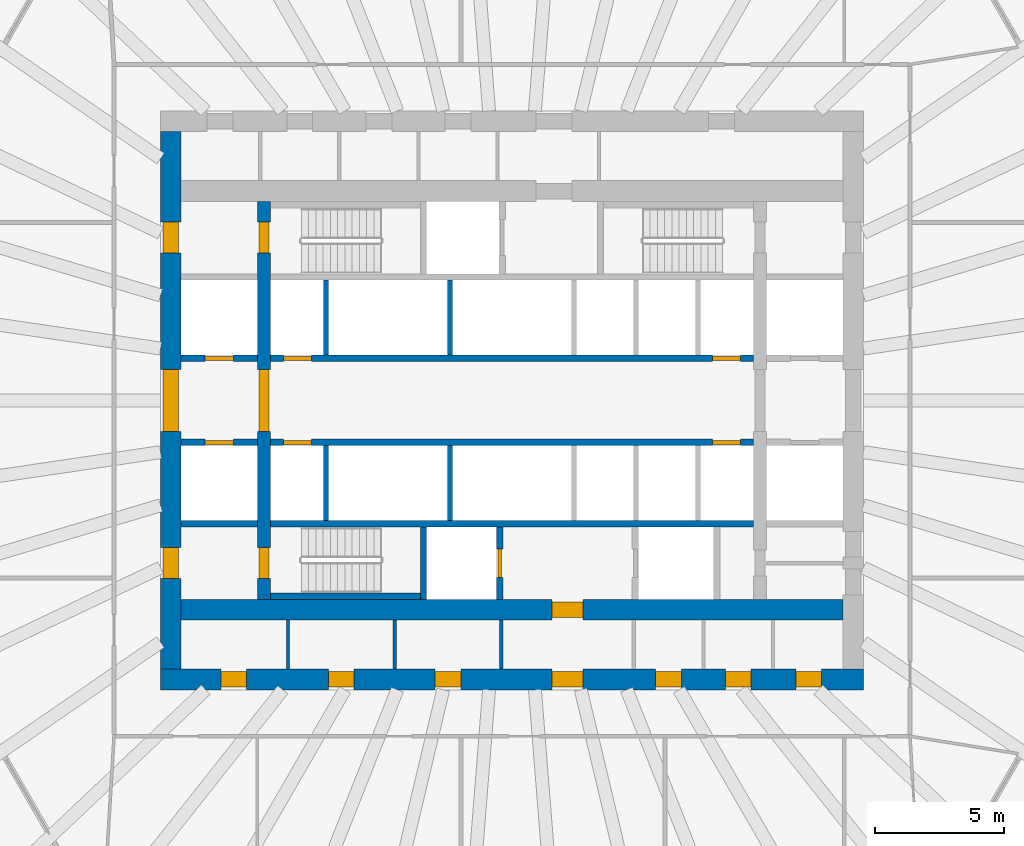
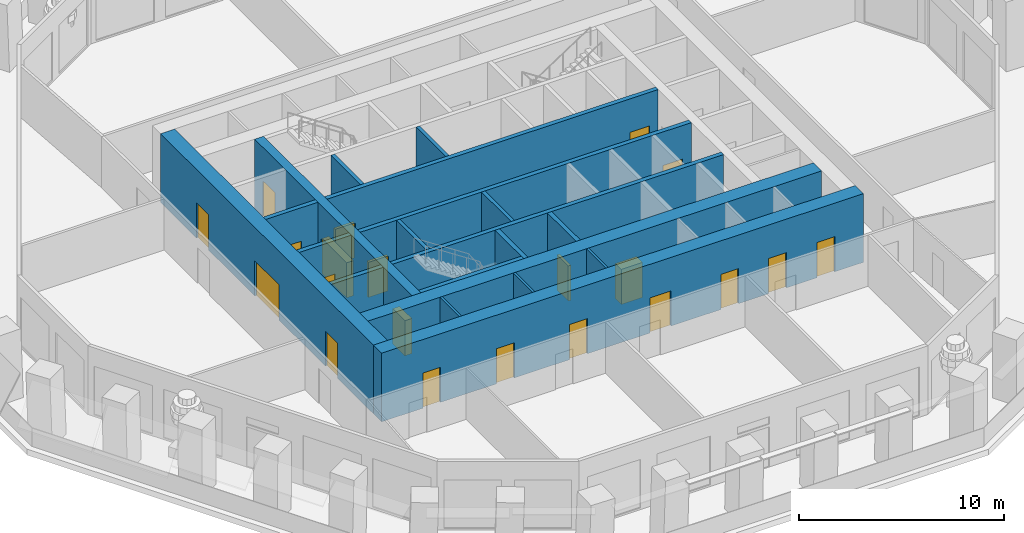
# One storey, part 4 of 12: 21 doors, 20 walls, 21 openings.
"""IFC4 building model written with IfcOpenShell, lengths in metres."""

from ifc_helpers import new_model, si_unit, direction, frame, frame_2d, origin, place, context, subcontext, project, spatial, rectangle, extrude, material, layer, layer_set, type_object, element, fill, save


model = new_model("IFC4")

# Units and contexts
model_context = context("Model", 3, precision=1e-05, world=origin(), true_north=direction((0.0, 1.0)))
body_context = subcontext(model_context, "Body", "Model", "MODEL_VIEW")
ifc_project = project(units=[si_unit("LENGTHUNIT", "METRE"), si_unit("AREAUNIT", "SQUARE_METRE"), si_unit("VOLUMEUNIT", "CUBIC_METRE"), si_unit("PLANEANGLEUNIT", "RADIAN"), si_unit("MASSUNIT", "GRAM", prefix="KILO")], contexts=[model_context])

# Site, building, storey
site_placement = place(None, origin())
site = spatial("IfcSite", under=ifc_project, at=site_placement, CompositionType="ELEMENT")
building_placement = place(site_placement, origin())
building = spatial("IfcBuilding", under=site, at=building_placement, Name="Frailejon Research Tower", CompositionType="ELEMENT")
storey_placement = place(building_placement, frame((0.0, 0.0, 80.800048828125)))
storey = spatial("IfcBuildingStorey", under=building, at=storey_placement, Name="L17", CompositionType="ELEMENT", Elevation=80.800048828125)

# Walls
ifc_material_1 = material(Name="Plasterboard on steel studs", Category="steel")
ifc_layer_1 = layer(ifc_material_1, 0.125)
ifc_layer_set_1 = layer_set([ifc_layer_1], Name="Core partition 125")
wall_type_1 = type_object("IfcWallType", Name="Core partition 125", PredefinedType="PARTITIONING", material=ifc_layer_set_1)
for number, where, z_axis, x_axis, name in (
    (1, (-8.6708984375, -10.39990234375, 0.0), (0.0, 0.0, 1.0), (0.0, 1.0, 0.0), "Core partition"),
    (2, (-4.541748046875, -10.39990234375, 0.0), (0.0, 0.0, 1.0), (0.0, 1.0, 0.0), "Core partition"),
    (3, (-0.41259765625, -10.39990234375, 0.0), (0.0, 0.0, 1.0), (0.0, 1.0, 0.0), "Core partition"),
):
    element("IfcWall", number, at=place(storey_placement, frame(where, z_axis=z_axis, x_axis=x_axis)), inside=storey, type_object=wall_type_1, Name=name, PredefinedType="PARTITIONING", context=body_context, shape_type="SweptSolid", body=[
        extrude(rectangle(XDim=1.89990234375, YDim=0.125, at=frame_2d((0.949951171875, 0.0))), origin(), (0.0, 0.0, 1.0), 4.099853515625),
    ])

# Wall, openings, doors
ifc_material_2 = material(Name="Concrete C70/85", Category="concrete")
ifc_layer_2 = layer(ifc_material_2, 0.5)
ifc_layer_set_2 = layer_set([ifc_layer_2], Name="Core shear wall 500 C70/85")
wall_type_2 = type_object("IfcWallType", Name="Core shear wall 500 C70/85", PredefinedType="SHEAR", material=ifc_layer_set_2)
wall_1_placement = place(storey_placement, frame((-9.60009765625, -7.699951171875, 0.0), z_axis=(0.0, 0.0, 1.0), x_axis=(0.0, 1.0, 0.0)))
wall_1 = element("IfcWall", 4, at=wall_1_placement, inside=storey, type_object=wall_type_2, Name="Core shear wall", PredefinedType="SHEAR", context=body_context, shape_type="SweptSolid", body=[
    extrude(rectangle(XDim=15.39990234375, YDim=0.5, at=frame_2d((7.699951171875, 0.0))), origin(), (0.0, 0.0, 1.0), 4.099853515625),
])
opening_1_placement = place(wall_1_placement, frame((6.5, 0.0, 0.0)))
opening_1 = element("IfcOpeningElement", 5, at=opening_1_placement, cuts=wall_1, Name="Opening D2", PredefinedType="OPENING", context=body_context, shape_type="SweptSolid", body=[
    extrude(rectangle(XDim=2.39990234375, YDim=2.10009765625, at=frame_2d((1.199951171875, 1.050048828125))), frame((0.0, 0.260009765625, 0.0), z_axis=(0.0, -1.0, 0.0), x_axis=(1.0, 0.0, 0.0)), (0.0, 0.0, 1.0), 0.52001953125),
])
opening_2_placement = place(wall_1_placement, frame((13.39990234375, 0.0, 0.0)))
opening_2 = element("IfcOpeningElement", 6, at=opening_2_placement, cuts=wall_1, Name="Opening D1", PredefinedType="OPENING", context=body_context, shape_type="SweptSolid", body=[
    extrude(rectangle(XDim=1.199951171875, YDim=2.10009765625, at=frame_2d((0.60009765625, 1.050048828125))), frame((0.0, 0.260009765625, 0.0), z_axis=(0.0, -1.0, 0.0), x_axis=(1.0, 0.0, 0.0)), (0.0, 0.0, 1.0), 0.52001953125),
])
opening_3_placement = place(wall_1_placement, frame((0.800048828125, 0.0, 0.0)))
opening_3 = element("IfcOpeningElement", 7, at=opening_3_placement, cuts=wall_1, Name="Opening D1", PredefinedType="OPENING", context=body_context, shape_type="SweptSolid", body=[
    extrude(rectangle(XDim=1.199951171875, YDim=2.10009765625, at=frame_2d((0.60009765625, 1.050048828125))), frame((0.0, 0.260009765625, 0.0), z_axis=(0.0, -1.0, 0.0), x_axis=(1.0, 0.0, 0.0)), (0.0, 0.0, 1.0), 0.52001953125),
])
ifc_material_3 = material(Name="Steel", Category="steel")
door_type_1 = type_object("IfcDoorType", Name="Lobby double door", OperationType="DOUBLE_DOOR_SINGLE_SWING", PredefinedType="DOOR", material=ifc_material_3)
door_1_placement = place(opening_1_placement, origin())
door_1 = element("IfcDoor", 8, at=door_1_placement, inside=storey, type_object=door_type_1, Name="Lobby door", OperationType="DOUBLE_DOOR_SINGLE_SWING", OverallHeight=2.10009765625, OverallWidth=2.39990234375, PredefinedType="DOOR", context=body_context, shape_type="SweptSolid", body=[
    extrude(rectangle(XDim=2.39990234375, YDim=2.10009765625, at=frame_2d((1.199951171875, 1.050048828125))), frame((0.0, 0.199951171875, 0.0), z_axis=(0.0, -1.0, 0.0), x_axis=(1.0, 0.0, 0.0)), (0.0, 0.0, 1.0), 0.39990234375),
])
fill(opening_1, door_1)
ifc_material_4 = material(Name="Steel", Category="steel")
door_type_2 = type_object("IfcDoorType", Name="Stair door", OperationType="SINGLE_SWING_LEFT", PredefinedType="DOOR", material=ifc_material_4)
door_2_placement = place(opening_2_placement, origin())
door_2 = element("IfcDoor", 9, at=door_2_placement, inside=storey, type_object=door_type_2, Name="Stair door ST1", OperationType="SINGLE_SWING_LEFT", OverallHeight=2.10009765625, OverallWidth=1.199951171875, PredefinedType="DOOR", context=body_context, shape_type="SweptSolid", body=[
    extrude(rectangle(XDim=1.199951171875, YDim=2.10009765625, at=frame_2d((0.60009765625, 1.050048828125))), frame((0.0, 0.199951171875, 0.0), z_axis=(0.0, -1.0, 0.0), x_axis=(1.0, 0.0, 0.0)), (0.0, 0.0, 1.0), 0.39990234375),
])
fill(opening_2, door_2)
door_3_placement = place(opening_3_placement, origin())
door_3 = element("IfcDoor", 10, at=door_3_placement, inside=storey, type_object=door_type_2, Name="Stair door ST2", OperationType="SINGLE_SWING_LEFT", OverallHeight=2.10009765625, OverallWidth=1.199951171875, PredefinedType="DOOR", context=body_context, shape_type="SweptSolid", body=[
    extrude(rectangle(XDim=1.199951171875, YDim=2.10009765625, at=frame_2d((0.60009765625, 1.050048828125))), frame((0.0, 0.199951171875, 0.0), z_axis=(0.0, -1.0, 0.0), x_axis=(1.0, 0.0, 0.0)), (0.0, 0.0, 1.0), 0.39990234375),
])
fill(opening_3, door_3)

ifc_material_5 = material(Name="Concrete C70/85", Category="concrete")
ifc_layer_3 = layer(ifc_material_5, 0.800048828125)
ifc_layer_set_3 = layer_set([ifc_layer_3], Name="Core shear wall 800 C70/85")
wall_type_3 = type_object("IfcWallType", Name="Core shear wall 800 C70/85", PredefinedType="SHEAR", material=ifc_layer_set_3)
wall_2_placement = place(storey_placement, frame((-13.60009765625, -10.800048828125, 0.0), z_axis=(0.0, 0.0, 1.0), x_axis=(1.0, 0.0, 0.0)))
wall_2 = element("IfcWall", 11, at=wall_2_placement, inside=storey, type_object=wall_type_3, Name="Core shear wall", PredefinedType="SHEAR", context=body_context, shape_type="SweptSolid", body=[
    extrude(rectangle(XDim=27.2001953125, YDim=0.800048828125, at=frame_2d((13.60009765625, 0.0))), origin(), (0.0, 0.0, 1.0), 4.099853515625),
])
opening_4_placement = place(wall_2_placement, frame((2.333251953125, 0.0, 0.0)))
opening_4 = element("IfcOpeningElement", 12, at=opening_4_placement, cuts=wall_2, Name="Opening D4", PredefinedType="OPENING", context=body_context, shape_type="SweptSolid", body=[
    extrude(rectangle(XDim=1.0, YDim=2.10009765625, at=frame_2d((0.5, 1.050048828125))), frame((0.0, 0.409912109375, 0.0), z_axis=(0.0, -1.0, 0.0), x_axis=(1.0, 0.0, 0.0)), (0.0, 0.0, 1.0), 0.820068359375),
])
opening_5_placement = place(wall_2_placement, frame((6.493896484375, 0.0, 0.0)))
opening_5 = element("IfcOpeningElement", 13, at=opening_5_placement, cuts=wall_2, Name="Opening D4", PredefinedType="OPENING", context=body_context, shape_type="SweptSolid", body=[
    extrude(rectangle(XDim=1.0, YDim=2.10009765625, at=frame_2d((0.5, 1.050048828125))), frame((0.0, 0.409912109375, 0.0), z_axis=(0.0, -1.0, 0.0), x_axis=(1.0, 0.0, 0.0)), (0.0, 0.0, 1.0), 0.820068359375),
])
opening_6_placement = place(wall_2_placement, frame((10.622802734375, 0.0, 0.0)))
opening_6 = element("IfcOpeningElement", 14, at=opening_6_placement, cuts=wall_2, Name="Opening D4", PredefinedType="OPENING", context=body_context, shape_type="SweptSolid", body=[
    extrude(rectangle(XDim=1.0, YDim=2.10009765625, at=frame_2d((0.5, 1.050048828125))), frame((0.0, 0.409912109375, 0.0), z_axis=(0.0, -1.0, 0.0), x_axis=(1.0, 0.0, 0.0)), (0.0, 0.0, 1.0), 0.820068359375),
])
opening_7_placement = place(wall_2_placement, frame((19.160400390625, 0.0, 0.0)))
opening_7 = element("IfcOpeningElement", 15, at=opening_7_placement, cuts=wall_2, Name="Opening D4", PredefinedType="OPENING", context=body_context, shape_type="SweptSolid", body=[
    extrude(rectangle(XDim=1.0, YDim=2.10009765625, at=frame_2d((0.5, 1.050048828125))), frame((0.0, 0.409912109375, 0.0), z_axis=(0.0, -1.0, 0.0), x_axis=(1.0, 0.0, 0.0)), (0.0, 0.0, 1.0), 0.820068359375),
])
opening_8_placement = place(wall_2_placement, frame((21.856201171875, 0.0, 0.0)))
opening_8 = element("IfcOpeningElement", 16, at=opening_8_placement, cuts=wall_2, Name="Opening D4", PredefinedType="OPENING", context=body_context, shape_type="SweptSolid", body=[
    extrude(rectangle(XDim=1.0, YDim=2.10009765625, at=frame_2d((0.5, 1.050048828125))), frame((0.0, 0.409912109375, 0.0), z_axis=(0.0, -1.0, 0.0), x_axis=(1.0, 0.0, 0.0)), (0.0, 0.0, 1.0), 0.820068359375),
])
opening_9_placement = place(wall_2_placement, frame((24.583251953125, 0.0, 0.0)))
opening_9 = element("IfcOpeningElement", 17, at=opening_9_placement, cuts=wall_2, Name="Opening D4", PredefinedType="OPENING", context=body_context, shape_type="SweptSolid", body=[
    extrude(rectangle(XDim=1.0, YDim=2.10009765625, at=frame_2d((0.5, 1.050048828125))), frame((0.0, 0.409912109375, 0.0), z_axis=(0.0, -1.0, 0.0), x_axis=(1.0, 0.0, 0.0)), (0.0, 0.0, 1.0), 0.820068359375),
])
opening_10_placement = place(wall_2_placement, frame((15.14990234375, 0.0, 0.0)))
opening_10 = element("IfcOpeningElement", 18, at=opening_10_placement, cuts=wall_2, Name="Opening D3", PredefinedType="OPENING", context=body_context, shape_type="SweptSolid", body=[
    extrude(rectangle(XDim=1.199951171875, YDim=2.10009765625, at=frame_2d((0.60009765625, 1.050048828125))), frame((0.0, 0.409912109375, 0.0), z_axis=(0.0, -1.0, 0.0), x_axis=(1.0, 0.0, 0.0)), (0.0, 0.0, 1.0), 0.820068359375),
])
ifc_material_6 = material(Name="Steel", Category="steel")
door_type_3 = type_object("IfcDoorType", Name="Firefighting lobby door", OperationType="SINGLE_SWING_LEFT", PredefinedType="DOOR", material=ifc_material_6)
door_4_placement = place(opening_10_placement, origin())
door_4 = element("IfcDoor", 19, at=door_4_placement, inside=storey, type_object=door_type_3, Name="Passage door", OperationType="SINGLE_SWING_RIGHT", OverallHeight=2.10009765625, OverallWidth=1.199951171875, PredefinedType="DOOR", context=body_context, shape_type="SweptSolid", body=[
    extrude(rectangle(XDim=1.199951171875, YDim=2.10009765625, at=frame_2d((0.60009765625, 1.050048828125))), frame((0.0, 0.300048828125, 0.0), z_axis=(0.0, -1.0, 0.0), x_axis=(1.0, 0.0, 0.0)), (0.0, 0.0, 1.0), 0.60009765625),
])
fill(opening_10, door_4)
ifc_material_7 = material(Name="Steel", Category="steel")
door_type_4 = type_object("IfcDoorType", Name="Service door", OperationType="SINGLE_SWING_LEFT", PredefinedType="DOOR", material=ifc_material_7)
door_5_placement = place(opening_4_placement, origin())
door_5 = element("IfcDoor", 20, at=door_5_placement, inside=storey, type_object=door_type_4, Name="Room door", OperationType="SINGLE_SWING_RIGHT", OverallHeight=2.10009765625, OverallWidth=1.0, PredefinedType="DOOR", context=body_context, shape_type="SweptSolid", body=[
    extrude(rectangle(XDim=1.0, YDim=2.10009765625, at=frame_2d((0.5, 1.050048828125))), frame((0.0, 0.300048828125, 0.0), z_axis=(0.0, -1.0, 0.0), x_axis=(1.0, 0.0, 0.0)), (0.0, 0.0, 1.0), 0.60009765625),
])
fill(opening_4, door_5)
door_6_placement = place(opening_5_placement, origin())
door_6 = element("IfcDoor", 21, at=door_6_placement, inside=storey, type_object=door_type_4, Name="Room door", OperationType="SINGLE_SWING_LEFT", OverallHeight=2.10009765625, OverallWidth=1.0, PredefinedType="DOOR", context=body_context, shape_type="SweptSolid", body=[
    extrude(rectangle(XDim=1.0, YDim=2.10009765625, at=frame_2d((0.5, 1.050048828125))), frame((0.0, 0.300048828125, 0.0), z_axis=(0.0, -1.0, 0.0), x_axis=(1.0, 0.0, 0.0)), (0.0, 0.0, 1.0), 0.60009765625),
])
fill(opening_5, door_6)
door_7_placement = place(opening_6_placement, origin())
door_7 = element("IfcDoor", 22, at=door_7_placement, inside=storey, type_object=door_type_4, Name="Room door", OperationType="SINGLE_SWING_RIGHT", OverallHeight=2.10009765625, OverallWidth=1.0, PredefinedType="DOOR", context=body_context, shape_type="SweptSolid", body=[
    extrude(rectangle(XDim=1.0, YDim=2.10009765625, at=frame_2d((0.5, 1.050048828125))), frame((0.0, 0.300048828125, 0.0), z_axis=(0.0, -1.0, 0.0), x_axis=(1.0, 0.0, 0.0)), (0.0, 0.0, 1.0), 0.60009765625),
])
fill(opening_6, door_7)
door_8_placement = place(opening_7_placement, origin())
door_8 = element("IfcDoor", 23, at=door_8_placement, inside=storey, type_object=door_type_4, Name="Room door", OperationType="SINGLE_SWING_LEFT", OverallHeight=2.10009765625, OverallWidth=1.0, PredefinedType="DOOR", context=body_context, shape_type="SweptSolid", body=[
    extrude(rectangle(XDim=1.0, YDim=2.10009765625, at=frame_2d((0.5, 1.050048828125))), frame((0.0, 0.300048828125, 0.0), z_axis=(0.0, -1.0, 0.0), x_axis=(1.0, 0.0, 0.0)), (0.0, 0.0, 1.0), 0.60009765625),
])
fill(opening_7, door_8)
door_9_placement = place(opening_8_placement, origin())
door_9 = element("IfcDoor", 24, at=door_9_placement, inside=storey, type_object=door_type_4, Name="Room door", OperationType="SINGLE_SWING_RIGHT", OverallHeight=2.10009765625, OverallWidth=1.0, PredefinedType="DOOR", context=body_context, shape_type="SweptSolid", body=[
    extrude(rectangle(XDim=1.0, YDim=2.10009765625, at=frame_2d((0.5, 1.050048828125))), frame((0.0, 0.300048828125, 0.0), z_axis=(0.0, -1.0, 0.0), x_axis=(1.0, 0.0, 0.0)), (0.0, 0.0, 1.0), 0.60009765625),
])
fill(opening_8, door_9)
door_10_placement = place(opening_9_placement, origin())
door_10 = element("IfcDoor", 25, at=door_10_placement, inside=storey, type_object=door_type_4, Name="Room door", OperationType="SINGLE_SWING_LEFT", OverallHeight=2.10009765625, OverallWidth=1.0, PredefinedType="DOOR", context=body_context, shape_type="SweptSolid", body=[
    extrude(rectangle(XDim=1.0, YDim=2.10009765625, at=frame_2d((0.5, 1.050048828125))), frame((0.0, 0.300048828125, 0.0), z_axis=(0.0, -1.0, 0.0), x_axis=(1.0, 0.0, 0.0)), (0.0, 0.0, 1.0), 0.60009765625),
])
fill(opening_9, door_10)

wall_3_placement = place(storey_placement, frame((-13.199951171875, -10.39990234375, 0.0), z_axis=(0.0, 0.0, 1.0), x_axis=(0.0, 1.0, 0.0)))
wall_3 = element("IfcWall", 26, at=wall_3_placement, inside=storey, type_object=wall_type_3, Name="Core shear wall", PredefinedType="SHEAR", context=body_context, shape_type="SweptSolid", body=[
    extrude(rectangle(XDim=20.7998046875, YDim=0.800048828125, at=frame_2d((10.39990234375, 0.0))), origin(), (0.0, 0.0, 1.0), 4.099853515625),
])
opening_11_placement = place(wall_3_placement, frame((9.199951171875, 0.0, 0.0)))
opening_11 = element("IfcOpeningElement", 27, at=opening_11_placement, cuts=wall_3, Name="Opening D2", PredefinedType="OPENING", context=body_context, shape_type="SweptSolid", body=[
    extrude(rectangle(XDim=2.39990234375, YDim=2.10009765625, at=frame_2d((1.199951171875, 1.050048828125))), frame((0.0, 0.409912109375, 0.0), z_axis=(0.0, -1.0, 0.0), x_axis=(1.0, 0.0, 0.0)), (0.0, 0.0, 1.0), 0.820068359375),
])
opening_12_placement = place(wall_3_placement, frame((16.10009765625, 0.0, 0.0)))
opening_12 = element("IfcOpeningElement", 28, at=opening_12_placement, cuts=wall_3, Name="Opening D7", PredefinedType="OPENING", context=body_context, shape_type="SweptSolid", body=[
    extrude(rectangle(XDim=1.199951171875, YDim=2.10009765625, at=frame_2d((0.60009765625, 1.050048828125))), frame((0.0, 0.409912109375, 0.0), z_axis=(0.0, -1.0, 0.0), x_axis=(1.0, 0.0, 0.0)), (0.0, 0.0, 1.0), 0.820068359375),
])
opening_13_placement = place(wall_3_placement, frame((3.5, 0.0, 0.0)))
opening_13 = element("IfcOpeningElement", 29, at=opening_13_placement, cuts=wall_3, Name="Opening D7", PredefinedType="OPENING", context=body_context, shape_type="SweptSolid", body=[
    extrude(rectangle(XDim=1.199951171875, YDim=2.10009765625, at=frame_2d((0.60009765625, 1.050048828125))), frame((0.0, 0.409912109375, 0.0), z_axis=(0.0, -1.0, 0.0), x_axis=(1.0, 0.0, 0.0)), (0.0, 0.0, 1.0), 0.820068359375),
])
door_11_placement = place(opening_11_placement, origin())
door_11 = element("IfcDoor", 30, at=door_11_placement, inside=storey, type_object=door_type_1, Name="Lobby door", OperationType="DOUBLE_DOOR_SINGLE_SWING", OverallHeight=2.10009765625, OverallWidth=2.39990234375, PredefinedType="DOOR", context=body_context, shape_type="SweptSolid", body=[
    extrude(rectangle(XDim=2.39990234375, YDim=2.10009765625, at=frame_2d((1.199951171875, 1.050048828125))), frame((0.0, 0.300048828125, 0.0), z_axis=(0.0, -1.0, 0.0), x_axis=(1.0, 0.0, 0.0)), (0.0, 0.0, 1.0), 0.60009765625),
])
fill(opening_11, door_11)
ifc_material_8 = material(Name="Steel", Category="steel")
door_type_5 = type_object("IfcDoorType", Name="Stair exit door", OperationType="SINGLE_SWING_LEFT", PredefinedType="DOOR", material=ifc_material_8)
door_12_placement = place(opening_12_placement, origin())
door_12 = element("IfcDoor", 31, at=door_12_placement, inside=storey, type_object=door_type_5, Name="Stair exit door ST1", OperationType="SINGLE_SWING_RIGHT", OverallHeight=2.10009765625, OverallWidth=1.199951171875, PredefinedType="DOOR", context=body_context, shape_type="SweptSolid", body=[
    extrude(rectangle(XDim=1.199951171875, YDim=2.10009765625, at=frame_2d((0.60009765625, 1.050048828125))), frame((0.0, 0.300048828125, 0.0), z_axis=(0.0, -1.0, 0.0), x_axis=(1.0, 0.0, 0.0)), (0.0, 0.0, 1.0), 0.60009765625),
])
fill(opening_12, door_12)
door_13_placement = place(opening_13_placement, origin())
door_13 = element("IfcDoor", 32, at=door_13_placement, inside=storey, type_object=door_type_5, Name="Stair exit door ST2", OperationType="SINGLE_SWING_RIGHT", OverallHeight=2.10009765625, OverallWidth=1.199951171875, PredefinedType="DOOR", context=body_context, shape_type="SweptSolid", body=[
    extrude(rectangle(XDim=1.199951171875, YDim=2.10009765625, at=frame_2d((0.60009765625, 1.050048828125))), frame((0.0, 0.300048828125, 0.0), z_axis=(0.0, -1.0, 0.0), x_axis=(1.0, 0.0, 0.0)), (0.0, 0.0, 1.0), 0.60009765625),
])
fill(opening_13, door_13)

# Wall, opening, door
wall_4_placement = place(storey_placement, frame((-12.800048828125, -8.10009765625, 0.0), z_axis=(0.0, 0.0, 1.0), x_axis=(1.0, 0.0, 0.0)))
wall_4 = element("IfcWall", 33, at=wall_4_placement, inside=storey, type_object=wall_type_3, Name="Core shear wall", PredefinedType="SHEAR", context=body_context, shape_type="SweptSolid", body=[
    extrude(rectangle(XDim=25.60009765625, YDim=0.800048828125, at=frame_2d((12.800048828125, 0.0))), origin(), (0.0, 0.0, 1.0), 4.099853515625),
])
opening_14_placement = place(wall_4_placement, frame((14.35009765625, 0.0, 0.0)))
opening_14 = element("IfcOpeningElement", 34, at=opening_14_placement, cuts=wall_4, Name="Opening D3", PredefinedType="OPENING", context=body_context, shape_type="SweptSolid", body=[
    extrude(rectangle(XDim=1.199951171875, YDim=2.10009765625, at=frame_2d((0.60009765625, 1.050048828125))), frame((0.0, 0.409912109375, 0.0), z_axis=(0.0, -1.0, 0.0), x_axis=(1.0, 0.0, 0.0)), (0.0, 0.0, 1.0), 0.820068359375),
])
door_14_placement = place(opening_14_placement, origin())
door_14 = element("IfcDoor", 35, at=door_14_placement, inside=storey, type_object=door_type_3, Name="Firefighting lobby door", OperationType="SINGLE_SWING_LEFT", OverallHeight=2.10009765625, OverallWidth=1.199951171875, PredefinedType="DOOR", context=body_context, shape_type="SweptSolid", body=[
    extrude(rectangle(XDim=1.199951171875, YDim=2.10009765625, at=frame_2d((0.60009765625, 1.050048828125))), frame((0.0, 0.300048828125, 0.0), z_axis=(0.0, -1.0, 0.0), x_axis=(1.0, 0.0, 0.0)), (0.0, 0.0, 1.0), 0.60009765625),
])
fill(opening_14, door_14)

# Walls
ifc_material_9 = material(Name="Concrete C70/85", Category="concrete")
ifc_layer_4 = layer(ifc_material_9, 0.199951171875)
ifc_layer_set_4 = layer_set([ifc_layer_4], Name="Shaft wall 200 C70/85")
wall_type_4 = type_object("IfcWallType", Name="Shaft wall 200 C70/85", PredefinedType="SOLIDWALL", material=ifc_layer_set_4)
for number, where, z_axis, x_axis, name in (
    (36, (-7.199951171875, 1.75, 0.0), (0.0, 0.0, 1.0), (0.0, 1.0, 0.0), "Shaft wall"),
    (37, (-2.39990234375, 1.75, 0.0), (0.0, 0.0, 1.0), (0.0, 1.0, 0.0), "Shaft wall"),
    (38, (-7.199951171875, -4.64990234375, 0.0), (0.0, 0.0, 1.0), (0.0, 1.0, 0.0), "Shaft wall"),
    (39, (-2.39990234375, -4.64990234375, 0.0), (0.0, 0.0, 1.0), (0.0, 1.0, 0.0), "Shaft wall"),
):
    element("IfcWall", number, at=place(storey_placement, frame(where, z_axis=z_axis, x_axis=x_axis)), inside=storey, type_object=wall_type_4, Name=name, PredefinedType="SOLIDWALL", context=body_context, shape_type="SweptSolid", body=[
        extrude(rectangle(XDim=2.89990234375, YDim=0.199951171875, at=frame_2d((1.449951171875, 0.0))), origin(), (0.0, 0.0, 1.0), 4.099853515625),
    ])

# Wall, opening, door
ifc_material_10 = material(Name="Concrete C70/85", Category="concrete")
ifc_layer_5 = layer(ifc_material_10, 0.25)
ifc_layer_set_5 = layer_set([ifc_layer_5], Name="Shaft wall 250 C70/85")
wall_type_5 = type_object("IfcWallType", Name="Shaft wall 250 C70/85", PredefinedType="SOLIDWALL", material=ifc_layer_set_5)
wall_5_placement = place(storey_placement, frame((-12.800048828125, 1.625, 0.0), z_axis=(0.0, 0.0, 1.0), x_axis=(1.0, 0.0, 0.0)))
wall_5 = element("IfcWall", 40, at=wall_5_placement, inside=storey, type_object=wall_type_5, Name="Shaft wall", PredefinedType="SOLIDWALL", context=body_context, shape_type="SweptSolid", body=[
    extrude(rectangle(XDim=2.949951171875, YDim=0.25, at=frame_2d((1.47509765625, 0.0))), origin(), (0.0, 0.0, 1.0), 4.099853515625),
])
opening_15_placement = place(wall_5_placement, frame((0.925048828125, 0.0, 0.0)))
opening_15 = element("IfcOpeningElement", 41, at=opening_15_placement, cuts=wall_5, Name="Opening LD", PredefinedType="OPENING", context=body_context, shape_type="SweptSolid", body=[
    extrude(rectangle(XDim=1.10009765625, YDim=2.10009765625, at=frame_2d((0.550048828125, 1.050048828125))), frame((0.0, 0.135009765625, 0.0), z_axis=(0.0, -1.0, 0.0), x_axis=(1.0, 0.0, 0.0)), (0.0, 0.0, 1.0), 0.27001953125),
])
ifc_material_11 = material(Name="Steel", Category="steel")
door_type_6 = type_object("IfcDoorType", Name="Lift landing door", OperationType="DOUBLE_DOOR_SLIDING", PredefinedType="DOOR", material=ifc_material_11)
door_15_placement = place(opening_15_placement, origin())
door_15 = element("IfcDoor", 42, at=door_15_placement, inside=storey, type_object=door_type_6, Name="Lift landing door", OperationType="DOUBLE_DOOR_SLIDING", OverallHeight=2.10009765625, OverallWidth=1.10009765625, PredefinedType="DOOR", context=body_context, shape_type="SweptSolid", body=[
    extrude(rectangle(XDim=1.10009765625, YDim=2.10009765625, at=frame_2d((0.550048828125, 1.050048828125))), frame((0.0, 0.074951171875, 0.0), z_axis=(0.0, -1.0, 0.0), x_axis=(1.0, 0.0, 0.0)), (0.0, 0.0, 1.0), 0.14990234375),
])
fill(opening_15, door_15)

# Wall, openings, doors
wall_6_placement = place(storey_placement, frame((-9.35009765625, 1.625, 0.0), z_axis=(0.0, 0.0, 1.0), x_axis=(1.0, 0.0, 0.0)))
wall_6 = element("IfcWall", 43, at=wall_6_placement, inside=storey, type_object=wall_type_5, Name="Shaft wall", PredefinedType="SOLIDWALL", context=body_context, shape_type="SweptSolid", body=[
    extrude(rectangle(XDim=18.7001953125, YDim=0.25, at=frame_2d((9.35009765625, 0.0))), origin(), (0.0, 0.0, 1.0), 4.099853515625),
])
opening_16_placement = place(wall_6_placement, frame((0.5, 0.0, 0.0)))
opening_16 = element("IfcOpeningElement", 44, at=opening_16_placement, cuts=wall_6, Name="Opening LD", PredefinedType="OPENING", context=body_context, shape_type="SweptSolid", body=[
    extrude(rectangle(XDim=1.10009765625, YDim=2.10009765625, at=frame_2d((0.550048828125, 1.050048828125))), frame((0.0, 0.135009765625, 0.0), z_axis=(0.0, -1.0, 0.0), x_axis=(1.0, 0.0, 0.0)), (0.0, 0.0, 1.0), 0.27001953125),
])
opening_17_placement = place(wall_6_placement, frame((17.10009765625, 0.0, 0.0)))
opening_17 = element("IfcOpeningElement", 45, at=opening_17_placement, cuts=wall_6, Name="Opening LD", PredefinedType="OPENING", context=body_context, shape_type="SweptSolid", body=[
    extrude(rectangle(XDim=1.10009765625, YDim=2.10009765625, at=frame_2d((0.550048828125, 1.050048828125))), frame((0.0, 0.135009765625, 0.0), z_axis=(0.0, -1.0, 0.0), x_axis=(1.0, 0.0, 0.0)), (0.0, 0.0, 1.0), 0.27001953125),
])
door_16_placement = place(opening_16_placement, origin())
door_16 = element("IfcDoor", 46, at=door_16_placement, inside=storey, type_object=door_type_6, Name="Lift landing door", OperationType="DOUBLE_DOOR_SLIDING", OverallHeight=2.10009765625, OverallWidth=1.10009765625, PredefinedType="DOOR", context=body_context, shape_type="SweptSolid", body=[
    extrude(rectangle(XDim=1.10009765625, YDim=2.10009765625, at=frame_2d((0.550048828125, 1.050048828125))), frame((0.0, 0.074951171875, 0.0), z_axis=(0.0, -1.0, 0.0), x_axis=(1.0, 0.0, 0.0)), (0.0, 0.0, 1.0), 0.14990234375),
])
fill(opening_16, door_16)
door_17_placement = place(opening_17_placement, origin())
door_17 = element("IfcDoor", 47, at=door_17_placement, inside=storey, type_object=door_type_6, Name="Lift landing door", OperationType="DOUBLE_DOOR_SLIDING", OverallHeight=2.10009765625, OverallWidth=1.10009765625, PredefinedType="DOOR", context=body_context, shape_type="SweptSolid", body=[
    extrude(rectangle(XDim=1.10009765625, YDim=2.10009765625, at=frame_2d((0.550048828125, 1.050048828125))), frame((0.0, 0.074951171875, 0.0), z_axis=(0.0, -1.0, 0.0), x_axis=(1.0, 0.0, 0.0)), (0.0, 0.0, 1.0), 0.14990234375),
])
fill(opening_17, door_17)

# Wall, opening, door
wall_7_placement = place(storey_placement, frame((-12.800048828125, -1.625, 0.0), z_axis=(0.0, 0.0, 1.0), x_axis=(1.0, 0.0, 0.0)))
wall_7 = element("IfcWall", 48, at=wall_7_placement, inside=storey, type_object=wall_type_5, Name="Shaft wall", PredefinedType="SOLIDWALL", context=body_context, shape_type="SweptSolid", body=[
    extrude(rectangle(XDim=2.949951171875, YDim=0.25, at=frame_2d((1.47509765625, 0.0))), origin(), (0.0, 0.0, 1.0), 4.099853515625),
])
opening_18_placement = place(wall_7_placement, frame((0.925048828125, 0.0, 0.0)))
opening_18 = element("IfcOpeningElement", 49, at=opening_18_placement, cuts=wall_7, Name="Opening LD", PredefinedType="OPENING", context=body_context, shape_type="SweptSolid", body=[
    extrude(rectangle(XDim=1.10009765625, YDim=2.10009765625, at=frame_2d((0.550048828125, 1.050048828125))), frame((0.0, 0.135009765625, 0.0), z_axis=(0.0, -1.0, 0.0), x_axis=(1.0, 0.0, 0.0)), (0.0, 0.0, 1.0), 0.27001953125),
])
door_18_placement = place(opening_18_placement, origin())
door_18 = element("IfcDoor", 50, at=door_18_placement, inside=storey, type_object=door_type_6, Name="Lift landing door", OperationType="DOUBLE_DOOR_SLIDING", OverallHeight=2.10009765625, OverallWidth=1.10009765625, PredefinedType="DOOR", context=body_context, shape_type="SweptSolid", body=[
    extrude(rectangle(XDim=1.10009765625, YDim=2.10009765625, at=frame_2d((0.550048828125, 1.050048828125))), frame((0.0, 0.074951171875, 0.0), z_axis=(0.0, -1.0, 0.0), x_axis=(1.0, 0.0, 0.0)), (0.0, 0.0, 1.0), 0.14990234375),
])
fill(opening_18, door_18)

# Wall, openings, doors
wall_8_placement = place(storey_placement, frame((-9.35009765625, -1.625, 0.0), z_axis=(0.0, 0.0, 1.0), x_axis=(1.0, 0.0, 0.0)))
wall_8 = element("IfcWall", 51, at=wall_8_placement, inside=storey, type_object=wall_type_5, Name="Shaft wall", PredefinedType="SOLIDWALL", context=body_context, shape_type="SweptSolid", body=[
    extrude(rectangle(XDim=18.7001953125, YDim=0.25, at=frame_2d((9.35009765625, 0.0))), origin(), (0.0, 0.0, 1.0), 4.099853515625),
])
opening_19_placement = place(wall_8_placement, frame((0.5, 0.0, 0.0)))
opening_19 = element("IfcOpeningElement", 52, at=opening_19_placement, cuts=wall_8, Name="Opening LD", PredefinedType="OPENING", context=body_context, shape_type="SweptSolid", body=[
    extrude(rectangle(XDim=1.10009765625, YDim=2.10009765625, at=frame_2d((0.550048828125, 1.050048828125))), frame((0.0, 0.135009765625, 0.0), z_axis=(0.0, -1.0, 0.0), x_axis=(1.0, 0.0, 0.0)), (0.0, 0.0, 1.0), 0.27001953125),
])
opening_20_placement = place(wall_8_placement, frame((17.10009765625, 0.0, 0.0)))
opening_20 = element("IfcOpeningElement", 53, at=opening_20_placement, cuts=wall_8, Name="Opening LD", PredefinedType="OPENING", context=body_context, shape_type="SweptSolid", body=[
    extrude(rectangle(XDim=1.10009765625, YDim=2.10009765625, at=frame_2d((0.550048828125, 1.050048828125))), frame((0.0, 0.135009765625, 0.0), z_axis=(0.0, -1.0, 0.0), x_axis=(1.0, 0.0, 0.0)), (0.0, 0.0, 1.0), 0.27001953125),
])
door_19_placement = place(opening_19_placement, origin())
door_19 = element("IfcDoor", 54, at=door_19_placement, inside=storey, type_object=door_type_6, Name="Lift landing door", OperationType="DOUBLE_DOOR_SLIDING", OverallHeight=2.10009765625, OverallWidth=1.10009765625, PredefinedType="DOOR", context=body_context, shape_type="SweptSolid", body=[
    extrude(rectangle(XDim=1.10009765625, YDim=2.10009765625, at=frame_2d((0.550048828125, 1.050048828125))), frame((0.0, 0.074951171875, 0.0), z_axis=(0.0, -1.0, 0.0), x_axis=(1.0, 0.0, 0.0)), (0.0, 0.0, 1.0), 0.14990234375),
])
fill(opening_19, door_19)
door_20_placement = place(opening_20_placement, origin())
door_20 = element("IfcDoor", 55, at=door_20_placement, inside=storey, type_object=door_type_6, Name="Lift landing door", OperationType="DOUBLE_DOOR_SLIDING", OverallHeight=2.10009765625, OverallWidth=1.10009765625, PredefinedType="DOOR", context=body_context, shape_type="SweptSolid", body=[
    extrude(rectangle(XDim=1.10009765625, YDim=2.10009765625, at=frame_2d((0.550048828125, 1.050048828125))), frame((0.0, 0.074951171875, 0.0), z_axis=(0.0, -1.0, 0.0), x_axis=(1.0, 0.0, 0.0)), (0.0, 0.0, 1.0), 0.14990234375),
])
fill(opening_20, door_20)

# Walls
wall_9_placement = place(storey_placement, frame((-12.800048828125, -4.77490234375, 0.0), z_axis=(0.0, 0.0, 1.0), x_axis=(1.0, 0.0, 0.0)))
element("IfcWall", 56, at=wall_9_placement, inside=storey, type_object=wall_type_5, Name="Shaft wall", PredefinedType="SOLIDWALL", context=body_context, shape_type="SweptSolid", body=[
    extrude(rectangle(XDim=2.949951171875, YDim=0.25, at=frame_2d((1.47509765625, 0.0))), origin(), (0.0, 0.0, 1.0), 4.099853515625),
])
wall_10_placement = place(storey_placement, frame((-9.35009765625, -4.77490234375, 0.0), z_axis=(0.0, 0.0, 1.0), x_axis=(1.0, 0.0, 0.0)))
element("IfcWall", 57, at=wall_10_placement, inside=storey, type_object=wall_type_5, Name="Shaft wall", PredefinedType="SOLIDWALL", context=body_context, shape_type="SweptSolid", body=[
    extrude(rectangle(XDim=18.7001953125, YDim=0.25, at=frame_2d((9.35009765625, 0.0))), origin(), (0.0, 0.0, 1.0), 4.099853515625),
])
wall_11_placement = place(storey_placement, frame((-9.35009765625, -7.574951171875, 0.0), z_axis=(0.0, 0.0, 1.0), x_axis=(1.0, 0.0, 0.0)))
element("IfcWall", 58, at=wall_11_placement, inside=storey, type_object=wall_type_5, Name="Shaft wall", PredefinedType="SOLIDWALL", context=body_context, shape_type="SweptSolid", body=[
    extrude(rectangle(XDim=5.800048828125, YDim=0.25, at=frame_2d((2.89990234375, 0.0))), origin(), (0.0, 0.0, 1.0), 4.099853515625),
])
wall_12_placement = place(storey_placement, frame((-3.425048828125, -7.699951171875, 0.0), z_axis=(0.0, 0.0, 1.0), x_axis=(0.0, 1.0, 0.0)))
element("IfcWall", 59, at=wall_12_placement, inside=storey, type_object=wall_type_5, Name="Shaft wall", PredefinedType="SOLIDWALL", context=body_context, shape_type="SweptSolid", body=[
    extrude(rectangle(XDim=2.800048828125, YDim=0.25, at=frame_2d((1.39990234375, 0.0))), origin(), (0.0, 0.0, 1.0), 4.099853515625),
])

# Wall, opening, door
wall_13_placement = place(storey_placement, frame((-0.47509765625, -7.699951171875, 0.0), z_axis=(0.0, 0.0, 1.0), x_axis=(0.0, 1.0, 0.0)))
wall_13 = element("IfcWall", 60, at=wall_13_placement, inside=storey, type_object=wall_type_5, Name="Shaft wall", PredefinedType="SOLIDWALL", context=body_context, shape_type="SweptSolid", body=[
    extrude(rectangle(XDim=2.800048828125, YDim=0.25, at=frame_2d((1.39990234375, 0.0))), origin(), (0.0, 0.0, 1.0), 4.099853515625),
])
opening_21_placement = place(wall_13_placement, frame((0.85009765625, 0.0, 0.0)))
opening_21 = element("IfcOpeningElement", 61, at=opening_21_placement, cuts=wall_13, Name="Opening LD", PredefinedType="OPENING", context=body_context, shape_type="SweptSolid", body=[
    extrude(rectangle(XDim=1.10009765625, YDim=2.10009765625, at=frame_2d((0.550048828125, 1.050048828125))), frame((0.0, 0.135009765625, 0.0), z_axis=(0.0, -1.0, 0.0), x_axis=(1.0, 0.0, 0.0)), (0.0, 0.0, 1.0), 0.27001953125),
])
door_21_placement = place(opening_21_placement, origin())
door_21 = element("IfcDoor", 62, at=door_21_placement, inside=storey, type_object=door_type_6, Name="Lift landing door", OperationType="DOUBLE_DOOR_SLIDING", OverallHeight=2.10009765625, OverallWidth=1.10009765625, PredefinedType="DOOR", context=body_context, shape_type="SweptSolid", body=[
    extrude(rectangle(XDim=1.10009765625, YDim=2.10009765625, at=frame_2d((0.550048828125, 1.050048828125))), frame((0.0, 0.074951171875, 0.0), z_axis=(0.0, -1.0, 0.0), x_axis=(1.0, 0.0, 0.0)), (0.0, 0.0, 1.0), 0.14990234375),
])
fill(opening_21, door_21)

save(model, "model.ifc")
